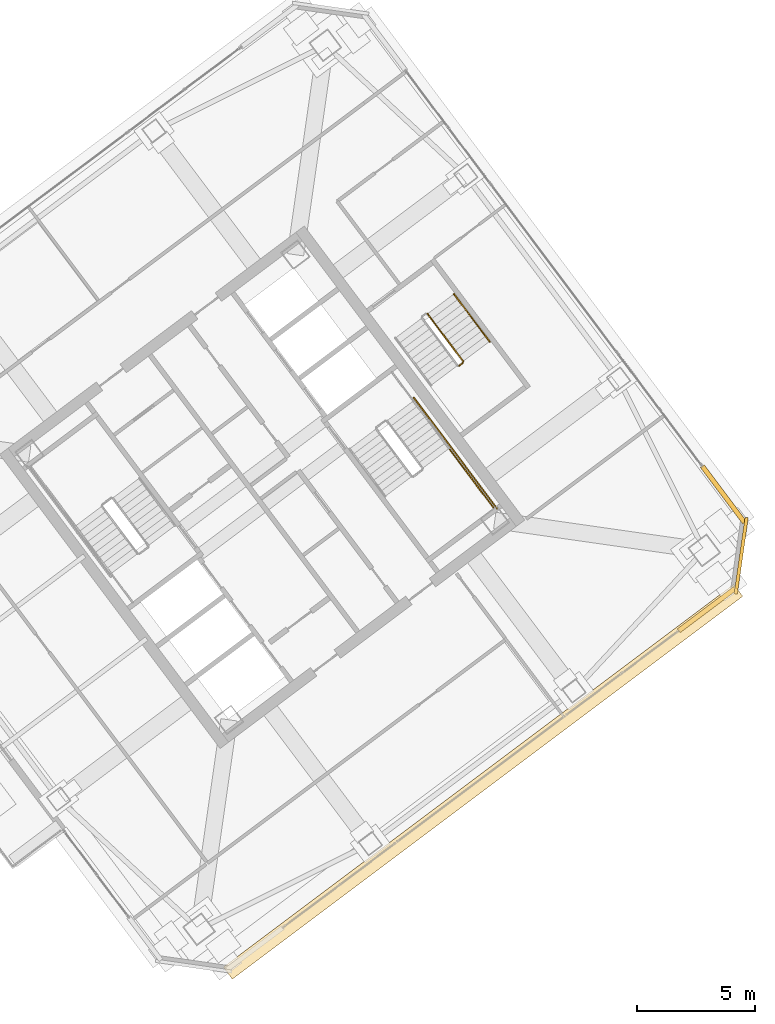
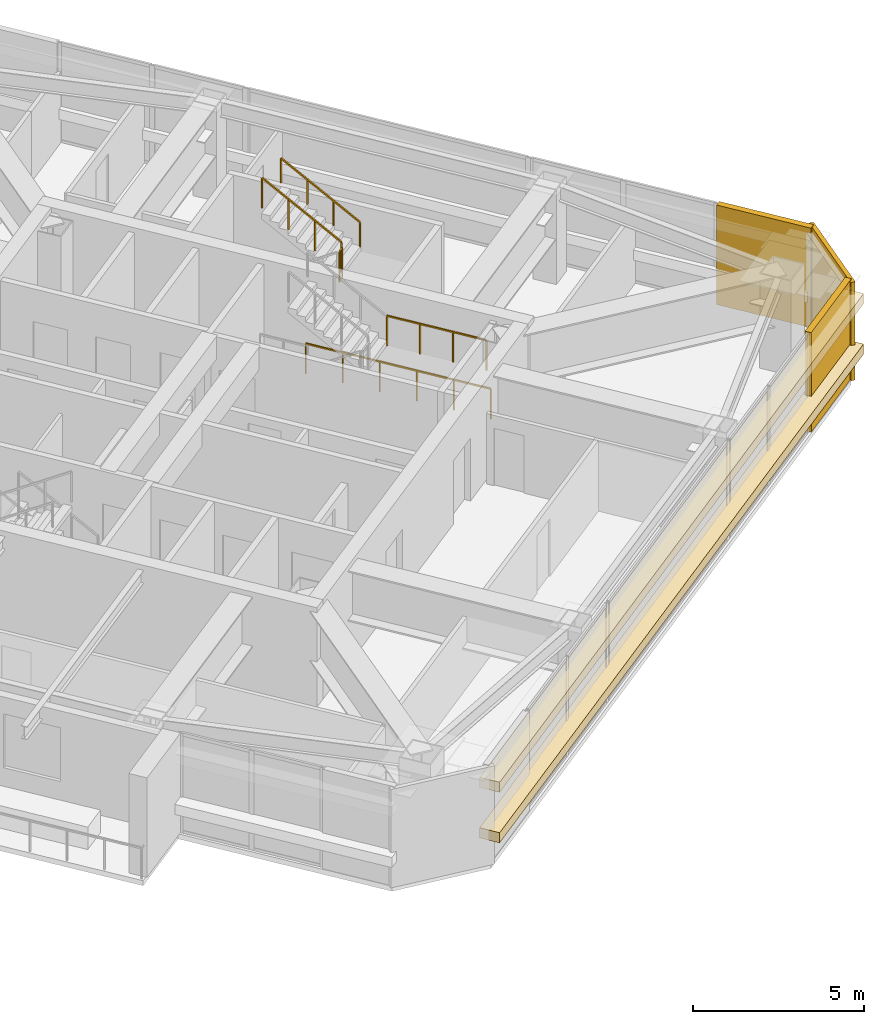
# One storey, part 39 of 40: 5 coverings, 5 railings.
"""IFC4 building model written with IfcOpenShell, lengths in metres."""

from ifc_helpers import new_model, si_unit, direction, frame, origin, origin_2d, place, context, subcontext, project, spatial, rectangle, extrude, material, layer, layer_set, type_object, element, save


model = new_model("IFC4")

# Units and contexts
model_context = context("Model", 3, precision=1e-05, world=origin(), true_north=direction((0.0, 1.0)))
body_context = subcontext(model_context, "Body", "Model", "MODEL_VIEW")
ifc_project = project(units=[si_unit("LENGTHUNIT", "METRE"), si_unit("AREAUNIT", "SQUARE_METRE"), si_unit("VOLUMEUNIT", "CUBIC_METRE"), si_unit("PLANEANGLEUNIT", "RADIAN"), si_unit("MASSUNIT", "GRAM", prefix="KILO")], contexts=[model_context])

# Site, building, storey
site_placement = place(None, origin())
site = spatial("IfcSite", under=ifc_project, at=site_placement, CompositionType="ELEMENT")
building_placement = place(site_placement, origin())
building = spatial("IfcBuilding", under=site, at=building_placement, Name="Tashvorn Skyway Center", CompositionType="ELEMENT")
storey_placement = place(building_placement, frame((0.0, 0.0, 229.050048828125)))
storey = spatial("IfcBuildingStorey", under=building, at=storey_placement, Name="L62", CompositionType="ELEMENT", Elevation=229.050048828125)

# Coverings
ifc_material_1 = material(Name="Precast concrete C40/50", Category="concrete")
ifc_layer_1 = layer(ifc_material_1, 0.199951171875)
ifc_layer_set_1 = layer_set([ifc_layer_1], Name="Precast concrete C40/50")
covering_type_1 = type_object("IfcCoveringType", Name="COV-BRACE-CLAD", PredefinedType="CLADDING", material=ifc_layer_set_1)
for number, where, z_axis, x_axis, name in (
    (1, (132.873779296875, 26.805419921875, 0.0), (0.0, 0.0, 1.0), (-0.799999996291, -0.600000004945, 0.0), "Tower 2 L62 South Unitised Curtain Wall Mega-Brace Cladding Band 1"),
    (2, (133.5732421875, 31.7021484375, 0.0), (0.0, 0.0, 1.0), (0.600000004945, -0.799999996291, 0.0), "Tower 2 L62 East Unitised Curtain Wall Mega-Brace Cladding Band 2"),
):
    element("IfcCovering", number, at=place(storey_placement, frame(where, z_axis=z_axis, x_axis=x_axis)), inside=storey, type_object=covering_type_1, Name=name, PredefinedType="CLADDING", context=body_context, shape_type="SweptSolid", body=[
        extrude(rectangle(XDim=2.99560546875, YDim=0.199951171875, at=origin_2d()), origin(), (0.0, 0.0, 1.0), 3.550048828125),
    ])
ifc_material_2 = material(Name="Perforated ceramic-coated bronze aluminium solar screen", Category="aluminium")
ifc_layer_2 = layer(ifc_material_2, 0.85009765625)
ifc_layer_set_2 = layer_set([ifc_layer_2], Name="Perforated ceramic-coated bronze aluminium solar screen")
covering_type_2 = type_object("IfcCoveringType", Name="COV-SOLAR-BAND", PredefinedType="CLADDING", material=ifc_layer_set_2)
for number, where, z_axis, x_axis, name in (
    (3, (123.3720703125, 19.50390625, 0.919921875), (0.0, 0.0, 1.0), (-0.799999996291, -0.600000004945, 0.0), "L62 Perforated Ceramic-Metal Solar Screen Louvre Band South 1"),
    (4, (123.3720703125, 19.50390625, 2.7197265625), (0.0, 0.0, 1.0), (-0.799999996291, -0.600000004945, 0.0), "L62 Perforated Ceramic-Metal Solar Screen Louvre Band South 2"),
):
    element("IfcCovering", number, at=place(storey_placement, frame(where, z_axis=z_axis, x_axis=x_axis)), inside=storey, type_object=covering_type_2, Name=name, PredefinedType="CLADDING", context=body_context, shape_type="SweptSolid", body=[
        extrude(rectangle(XDim=27.080078125, YDim=0.639892578125, at=origin_2d()), origin(), (0.0, 0.0, 1.0), 0.360107421875),
    ])
ifc_layer_3 = layer(ifc_material_1, 0.35009765625)
ifc_layer_set_3 = layer_set([ifc_layer_3], Name="Precast concrete C40/50")
covering_type_3 = type_object("IfcCoveringType", Name="COV-STONE-TRIM", PredefinedType="CLADDING", material=ifc_layer_set_3)
covering_placement = place(storey_placement, frame((134.327880859375, 29.095947265625, 0.02001953125), z_axis=(0.0, 0.0, 1.0), x_axis=(0.141421350118, 0.989949494535, 0.0)))
element("IfcCovering", 5, at=covering_placement, inside=storey, type_object=covering_type_3, Name="Tower 2 L62 SE Mojave Limestone Corner Quoin", PredefinedType="CLADDING", context=body_context, shape_type="SweptSolid", body=[
    extrude(rectangle(XDim=3.271240234375, YDim=0.139892578125, at=origin_2d()), origin(), (0.0, 0.0, 1.0), 3.510009765625),
])

# Railings
ifc_material_3 = material(Name="Brushed stainless steel 316", Category="steel")
railing_type_1 = type_object("IfcRailingType", Name="RAIL-HAND-920", PredefinedType="HANDRAIL", material=ifc_material_3)
railing_1_placement = place(storey_placement, frame((123.64794921875, 38.18603515625, 1.952392578125)))
element("IfcRailing", 6, at=railing_1_placement, inside=storey, type_object=railing_type_1, Name="L62 ST-T2-3 stair handrail 2", PredefinedType="HANDRAIL", context=body_context, shape_type="SweptSolid", body=[
    extrude(rectangle(XDim=0.048095703125, YDim=0.048095703125, at=origin_2d()), frame((0.0, 0.0, 0.8759765625), z_axis=(-0.50674661542, 0.675634878657, 0.535467439255), x_axis=(-0.79998837352, -0.60001550166, 0.0)), (0.0, 0.0, 1.0), 2.983642578125),
    extrude(rectangle(XDim=0.0419921875, YDim=0.0419921875, at=origin_2d()), origin(), (0.0, 0.0, 1.0), 0.851806640625),
    extrude(rectangle(XDim=0.0419921875, YDim=0.0419921875, at=origin_2d()), frame((-0.50390625, 0.671875, 0.532470703125)), (0.0, 0.0, 1.0), 0.851806640625),
    extrude(rectangle(XDim=0.0419921875, YDim=0.0419921875, at=origin_2d()), frame((-1.008056640625, 1.343994140625, 1.065185546875)), (0.0, 0.0, 1.0), 0.851806640625),
    extrude(rectangle(XDim=0.0419921875, YDim=0.0419921875, at=origin_2d()), frame((-1.511962890625, 2.015869140625, 1.59765625)), (0.0, 0.0, 1.0), 0.851806640625),
])
ifc_material_4 = material(Name="Painted galvanized steel S355", Category="steel")
railing_type_2 = type_object("IfcRailingType", Name="RAIL-STGUARD-1100", PredefinedType="GUARDRAIL", material=ifc_material_4)
railing_2_placement = place(storey_placement, frame((121.927978515625, 33.64599609375, 1.77490234375)))
element("IfcRailing", 7, at=railing_2_placement, inside=storey, type_object=railing_type_2, Name="L62 ST-T2-2 stair guard 3", PredefinedType="GUARDRAIL", context=body_context, shape_type="SweptSolid", body=[
    extrude(rectangle(XDim=0.048095703125, YDim=0.048095703125, at=origin_2d()), frame((0.0, 0.0, 1.076171875), z_axis=(0.599987638607, -0.800009270896, 0.0), x_axis=(0.800009270896, 0.599987638607, 0.0)), (0.0, 0.0, 1.0), 3.16015625),
    extrude(rectangle(XDim=0.0419921875, YDim=0.0419921875, at=origin_2d()), origin(), (0.0, 0.0, 1.0), 1.052001953125),
    extrude(rectangle(XDim=0.0419921875, YDim=0.0419921875, at=origin_2d()), frame((0.632080078125, -0.8427734375, 0.0)), (0.0, 0.0, 1.0), 1.052001953125),
    extrude(rectangle(XDim=0.0419921875, YDim=0.0419921875, at=origin_2d()), frame((1.263916015625, -1.685302734375, 0.0)), (0.0, 0.0, 1.0), 1.052001953125),
    extrude(rectangle(XDim=0.0419921875, YDim=0.0419921875, at=origin_2d()), frame((1.89599609375, -2.528076171875, 0.0)), (0.0, 0.0, 1.0), 1.052001953125),
])
railing_3_placement = place(storey_placement, frame((120.43603515625, 35.802001953125, 0.0)))
element("IfcRailing", 8, at=railing_3_placement, inside=storey, type_object=railing_type_2, Name="L62 ST-T2-2 stair guard 7", PredefinedType="GUARDRAIL", context=body_context, shape_type="SweptSolid", body=[
    extrude(rectangle(XDim=0.048095703125, YDim=0.048095703125, at=origin_2d()), frame((0.0, 0.0, 1.076171875), z_axis=(0.6, -0.8, 0.0), x_axis=(0.8, 0.6, 0.0)), (0.0, 0.0, 1.0), 5.880126953125),
    extrude(rectangle(XDim=0.0419921875, YDim=0.0419921875, at=origin_2d()), origin(), (0.0, 0.0, 1.0), 1.052001953125),
    extrude(rectangle(XDim=0.0419921875, YDim=0.0419921875, at=origin_2d()), frame((0.70556640625, -0.94091796875, 0.0)), (0.0, 0.0, 1.0), 1.052001953125),
    extrude(rectangle(XDim=0.0419921875, YDim=0.0419921875, at=origin_2d()), frame((1.4111328125, -1.881591796875, 0.0)), (0.0, 0.0, 1.0), 1.052001953125),
    extrude(rectangle(XDim=0.0419921875, YDim=0.0419921875, at=origin_2d()), frame((2.116943359375, -2.822509765625, 0.0)), (0.0, 0.0, 1.0), 1.052001953125),
    extrude(rectangle(XDim=0.0419921875, YDim=0.0419921875, at=origin_2d()), frame((2.822509765625, -3.76318359375, 0.0)), (0.0, 0.0, 1.0), 1.052001953125),
    extrude(rectangle(XDim=0.0419921875, YDim=0.0419921875, at=origin_2d()), frame((3.528076171875, -4.7041015625, 0.0)), (0.0, 0.0, 1.0), 1.052001953125),
])
railing_4_placement = place(storey_placement, frame((122.35791015625, 37.156005859375, 1.77490234375)))
element("IfcRailing", 9, at=railing_4_placement, inside=storey, type_object=railing_type_2, Name="L62 ST-T2-3 stair guard 2", PredefinedType="GUARDRAIL", context=body_context, shape_type="SweptSolid", body=[
    extrude(rectangle(XDim=0.048095703125, YDim=0.048095703125, at=origin_2d()), frame((0.0, 0.0, 1.076171875), z_axis=(0.800585412921, 0.599218655098, 0.0), x_axis=(-0.599218655098, 0.800585412921, 0.0)), (0.0, 0.0, 1.0), 0.199951171875),
    extrude(rectangle(XDim=0.0419921875, YDim=0.0419921875, at=origin_2d()), origin(), (0.0, 0.0, 1.0), 1.052001953125),
    extrude(rectangle(XDim=0.0419921875, YDim=0.0419921875, at=origin_2d()), frame((0.16015625, 0.119873046875, 0.0)), (0.0, 0.0, 1.0), 1.052001953125),
])
railing_5_placement = place(storey_placement, frame((122.528076171875, 37.345947265625, 1.952392578125)))
element("IfcRailing", 10, at=railing_5_placement, inside=storey, type_object=railing_type_2, Name="L62 ST-T2-3 stair guard 3", PredefinedType="GUARDRAIL", context=body_context, shape_type="SweptSolid", body=[
    extrude(rectangle(XDim=0.048095703125, YDim=0.048095703125, at=origin_2d()), frame((0.0, 0.0, 1.076171875), z_axis=(-0.506718600913, 0.675679348675, 0.535437836974), x_axis=(-0.800023250257, -0.599968998406, 0.0)), (0.0, 0.0, 1.0), 2.98388671875),
    extrude(rectangle(XDim=0.0419921875, YDim=0.0419921875, at=origin_2d()), origin(), (0.0, 0.0, 1.0), 1.052001953125),
    extrude(rectangle(XDim=0.0419921875, YDim=0.0419921875, at=origin_2d()), frame((-0.50390625, 0.672119140625, 0.532470703125)), (0.0, 0.0, 1.0), 1.052001953125),
    extrude(rectangle(XDim=0.0419921875, YDim=0.0419921875, at=origin_2d()), frame((-1.008056640625, 1.343994140625, 1.065185546875)), (0.0, 0.0, 1.0), 1.052001953125),
    extrude(rectangle(XDim=0.0419921875, YDim=0.0419921875, at=origin_2d()), frame((-1.511962890625, 2.01611328125, 1.59765625)), (0.0, 0.0, 1.0), 1.052001953125),
])

save(model, "model.ifc")
